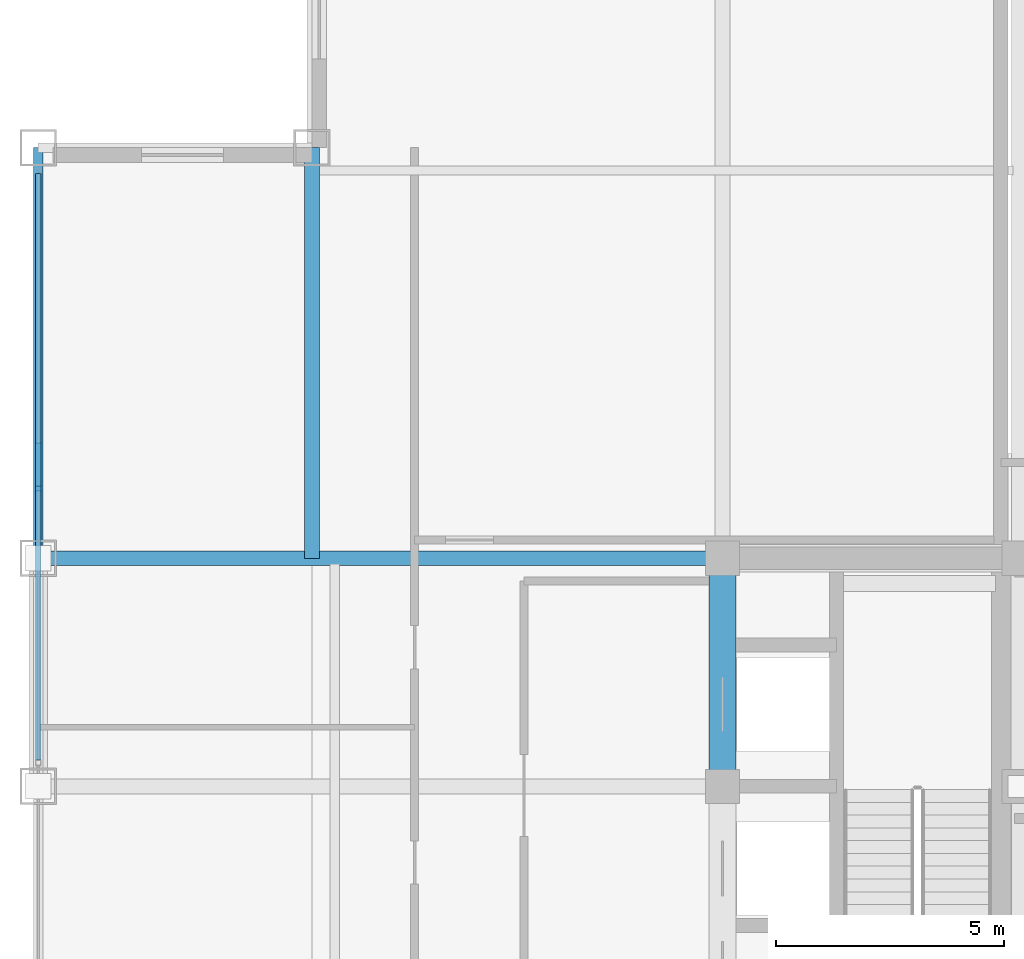
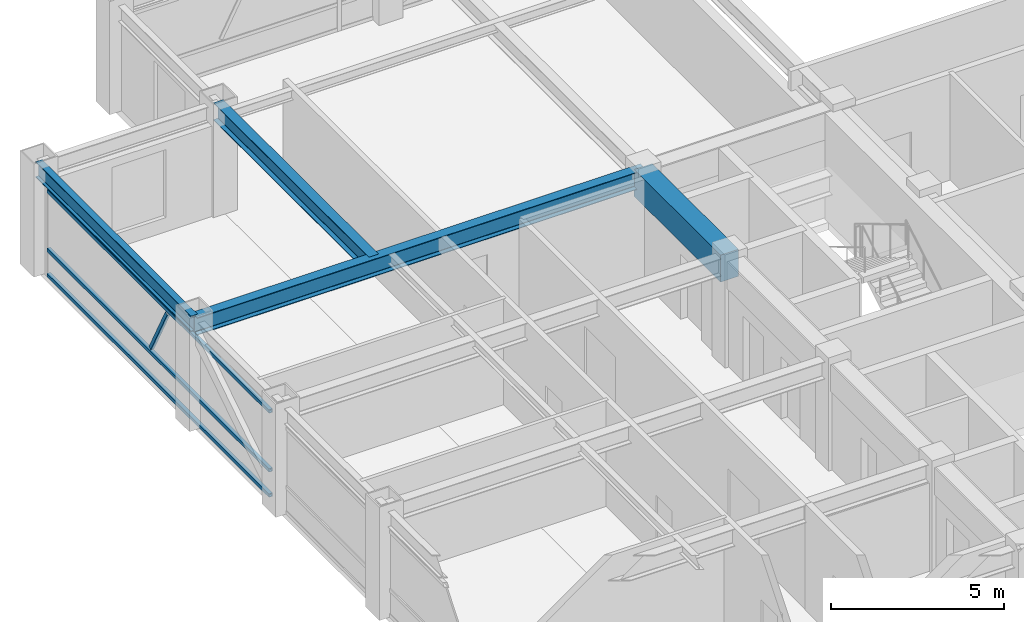
# One storey, part 16 of 29: 4 beams, 4 members, 1 element without a shape of its own.
"""IFC4 building model written with IfcOpenShell, lengths in metres."""

from ifc_helpers import new_model, si_unit, direction, frame, origin, origin_2d, place, context, subcontext, project, spatial, rectangle, hollow_rectangle, i_section, extrude, source, transform, mapped, material, material_profile, profile_set, type_object, element, aggregate, save


model = new_model("IFC4")

# Units and contexts
model_context = context("Model", 3, precision=1e-05, world=origin(), true_north=direction((0.0, 1.0)))
body_context = subcontext(model_context, "Body", "Model", "MODEL_VIEW")
ifc_project = project(units=[si_unit("LENGTHUNIT", "METRE"), si_unit("AREAUNIT", "SQUARE_METRE"), si_unit("VOLUMEUNIT", "CUBIC_METRE"), si_unit("PLANEANGLEUNIT", "RADIAN"), si_unit("MASSUNIT", "GRAM", prefix="KILO")], contexts=[model_context])

# Site, building, storey
site_placement = place(None, origin())
site = spatial("IfcSite", under=ifc_project, at=site_placement, CompositionType="ELEMENT")
building_placement = place(site_placement, origin())
building = spatial("IfcBuilding", under=site, at=building_placement, Name="Khorayat Bourse Tower", CompositionType="ELEMENT")
storey_placement = place(building_placement, frame((0.0, 0.0, 350.300048828125)))
storey = spatial("IfcBuildingStorey", under=building, at=storey_placement, Name="L83", CompositionType="ELEMENT", Elevation=350.300048828125)

# Beams
ifc_material_1 = material(Name="Concrete C60/75", Category="concrete")
ifc_material_profile_1 = material_profile(ifc_material_1, rectangle(XDim=0.60009765625, YDim=0.949951171875, at=origin_2d()), Name="RC 600x950")
ifc_profile_set_1 = profile_set([ifc_material_profile_1], Name="Concrete C60/75")
beam_type_1 = type_object("IfcBeamType", Name="BM-COUP-950", PredefinedType="BEAM", material=ifc_profile_set_1)
shared_shape_1 = source(origin(), body_context, "Body", "SweptSolid", [
    extrude(rectangle(XDim=0.60009765625, YDim=0.949951171875, at=origin_2d()), origin(), (0.0, 0.0, 1.0), 5.0),
])
beam_1_placement = place(storey_placement, frame((-11.0, 6.0, 3.264892578125), z_axis=(0.0, 1.0, 0.0), x_axis=(-1.0, 0.0, 0.0)))
element("IfcBeam", 1, at=beam_1_placement, inside=storey, type_object=beam_type_1, Name="L83 BM-COUP-950 BM-L83-CRX-04", PredefinedType="BEAM", context=body_context, shape_type="MappedRepresentation", body=[
    mapped(shared_shape_1, transform((0.0, 0.0, 0.0), scale=1.0)),
])
ifc_material_2 = material(Name="Steel ASTM A992 Grade 50", Category="steel")
ifc_material_profile_2 = material_profile(ifc_material_2, i_section(OverallWidth=0.214111328125, OverallDepth=0.549072265625, WebThickness=0.0146484375, FlangeThickness=0.023681640625, FilletRadius=0.013916015625, at=origin_2d()), Name="W530X138")
ifc_profile_set_2 = profile_set([ifc_material_profile_2], Name="Steel ASTM A992 Grade 50")
beam_type_2 = type_object("IfcBeamType", Name="BM-SPAN-530", PredefinedType="SPANDREL", material=ifc_profile_set_2)
shared_shape_2 = source(origin(), body_context, "Body", "SweptSolid", [
    extrude(i_section(OverallWidth=0.214111328125, OverallDepth=0.549072265625, WebThickness=0.0146484375, FlangeThickness=0.023681640625, FilletRadius=0.013916015625, at=origin_2d()), origin(), (0.0, 0.0, 1.0), 9.0),
])
beam_2_placement = place(storey_placement, frame((-26.0, 11.0, 3.46533203125), z_axis=(0.0, 1.0, 0.0), x_axis=(-1.0, 0.0, 0.0)))
element("IfcBeam", 2, at=beam_2_placement, inside=storey, type_object=beam_type_2, Name="L83 BM-SPAN-530 BM-L83-SPN-045", PredefinedType="SPANDREL", context=body_context, shape_type="MappedRepresentation", body=[
    mapped(shared_shape_2, transform((0.0, 0.0, 0.0), scale=1.0)),
])
ifc_material_profile_3 = material_profile(ifc_material_2, i_section(OverallWidth=0.324951171875, OverallDepth=0.615966796875, WebThickness=0.013916015625, FlangeThickness=0.021484375, FilletRadius=0.01611328125, at=origin_2d()), Name="W610X174")
ifc_profile_set_3 = profile_set([ifc_material_profile_3], Name="Steel ASTM A992 Grade 50")
beam_type_3 = type_object("IfcBeamType", Name="BM-GIRD-610", PredefinedType="BEAM", material=ifc_profile_set_3)
shared_shape_3 = source(origin(), body_context, "Body", "SweptSolid", [
    extrude(i_section(OverallWidth=0.324951171875, OverallDepth=0.615966796875, WebThickness=0.013916015625, FlangeThickness=0.021484375, FilletRadius=0.01611328125, at=origin_2d()), origin(), (0.0, 0.0, 1.0), 15.0),
])
beam_3_placement = place(storey_placement, frame((-26.0, 11.0, 3.431884765625), z_axis=(1.0, 0.0, 0.0), x_axis=(0.0, 1.0, 0.0)))
element("IfcBeam", 3, at=beam_3_placement, inside=storey, type_object=beam_type_3, Name="L83 BM-GIRD-610 BM-L83-RADX-070", PredefinedType="BEAM", context=body_context, shape_type="MappedRepresentation", body=[
    mapped(shared_shape_3, transform((0.0, 0.0, 0.0), scale=1.0)),
])
shared_shape_4 = source(origin(), body_context, "Body", "SweptSolid", [
    extrude(i_section(OverallWidth=0.324951171875, OverallDepth=0.615966796875, WebThickness=0.013916015625, FlangeThickness=0.021484375, FilletRadius=0.01611328125, at=origin_2d()), origin(), (0.0, 0.0, 1.0), 9.0),
])
beam_4_placement = place(storey_placement, frame((-20.0, 11.0, 3.431884765625), z_axis=(0.0, 1.0, 0.0), x_axis=(-1.0, 0.0, 0.0)))
element("IfcBeam", 4, at=beam_4_placement, inside=storey, type_object=beam_type_3, Name="L83 BM-GIRD-610 BM-L83-CNRY-072", PredefinedType="BEAM", context=body_context, shape_type="MappedRepresentation", body=[
    mapped(shared_shape_4, transform((0.0, 0.0, 0.0), scale=1.0)),
])

# Curtain wall, members
ifc_material_3 = material(Name="Aluminium EN AW-6063 T6", Category="aluminium")
curtain_wall_type = type_object("IfcCurtainWallType", Name="CW-SYS-06", PredefinedType="NOTDEFINED", material=ifc_material_3)
curtain_wall_placement = place(storey_placement, origin())
curtain_wall = element("IfcCurtainWall", 5, at=curtain_wall_placement, inside=storey, type_object=curtain_wall_type, Name="L83 Curtain Wall CW-L83-W1", PredefinedType="NOTDEFINED")
ifc_material_profile_4 = material_profile(ifc_material_3, hollow_rectangle(XDim=0.1201171875, YDim=0.1201171875, WallThickness=0.0048828125, at=origin_2d()), Name="ALU 120x120x5")
ifc_profile_set_4 = profile_set([ifc_material_profile_4], Name="Aluminium EN AW-6063 T6")
member_type_1 = type_object("IfcMemberType", Name="CWM-DIAG-120", PredefinedType="MULLION", material=ifc_profile_set_4)
shared_shape_5 = source(origin(), body_context, "Body", "SweptSolid", [
    extrude(hollow_rectangle(XDim=0.1201171875, YDim=0.1201171875, WallThickness=0.0048828125, at=origin_2d()), origin(), (0.0, 0.0, 1.0), 2.0341796875),
])
member_1_placement = place(storey_placement, frame((-26.0, 13.47705078125, 1.08984375), z_axis=(0.0, -0.465790950955, 0.884894790361), x_axis=(1.0, 0.0, 0.0)))
member_1 = element("IfcMember", 6, at=member_1_placement, type_object=member_type_1, Name="CW-L83-W1 Faceted Diagonal Mullion 1", PredefinedType="MULLION", context=body_context, shape_type="MappedRepresentation", body=[
    mapped(shared_shape_5, transform((0.0, 0.0, 0.0), scale=1.0)),
])
ifc_material_profile_5 = material_profile(ifc_material_3, hollow_rectangle(XDim=0.1201171875, YDim=0.1201171875, WallThickness=0.0048828125, at=origin_2d()), Name="ALU 120x120x5")
ifc_profile_set_5 = profile_set([ifc_material_profile_5], Name="Aluminium EN AW-6063 T6")
member_type_2 = type_object("IfcMemberType", Name="CWT-HORZ-120", PredefinedType="USERDEFINED", material=ifc_profile_set_5)
shared_shape_6 = source(origin(), body_context, "Body", "SweptSolid", [
    extrude(hollow_rectangle(XDim=0.1201171875, YDim=0.1201171875, WallThickness=0.0048828125, at=origin_2d()), origin(), (0.0, 0.0, 1.0), 12.853271484375),
])
member_2_placement = place(storey_placement, frame((-26.0, 19.429931640625, 0.06005859375), z_axis=(0.0, -1.0, 0.0), x_axis=(1.0, 0.0, 0.0)))
member_2 = element("IfcMember", 7, at=member_2_placement, type_object=member_type_2, Name="CW-L83-W1 Horizontal Transom 1-1", ObjectType="TRANSOM", PredefinedType="USERDEFINED", context=body_context, shape_type="MappedRepresentation", body=[
    mapped(shared_shape_6, transform((0.0, 0.0, 0.0), scale=1.0)),
])
member_3_placement = place(storey_placement, frame((-26.0, 19.429931640625, 0.949951171875), z_axis=(0.0, -1.0, 0.0), x_axis=(1.0, 0.0, 0.0)))
member_3 = element("IfcMember", 8, at=member_3_placement, type_object=member_type_2, Name="CW-L83-W1 Horizontal Transom 1-2", ObjectType="TRANSOM", PredefinedType="USERDEFINED", context=body_context, shape_type="MappedRepresentation", body=[
    mapped(shared_shape_6, transform((0.0, 0.0, 0.0), scale=1.0)),
])
member_4_placement = place(storey_placement, frame((-26.0, 19.429931640625, 3.030029296875), z_axis=(0.0, -1.0, 0.0), x_axis=(1.0, 0.0, 0.0)))
member_4 = element("IfcMember", 9, at=member_4_placement, type_object=member_type_2, Name="CW-L83-W1 Horizontal Transom 1-3", ObjectType="TRANSOM", PredefinedType="USERDEFINED", context=body_context, shape_type="MappedRepresentation", body=[
    mapped(shared_shape_6, transform((0.0, 0.0, 0.0), scale=1.0)),
])
aggregate(curtain_wall, [member_2, member_3, member_4, member_1])

save(model, "model.ifc")
